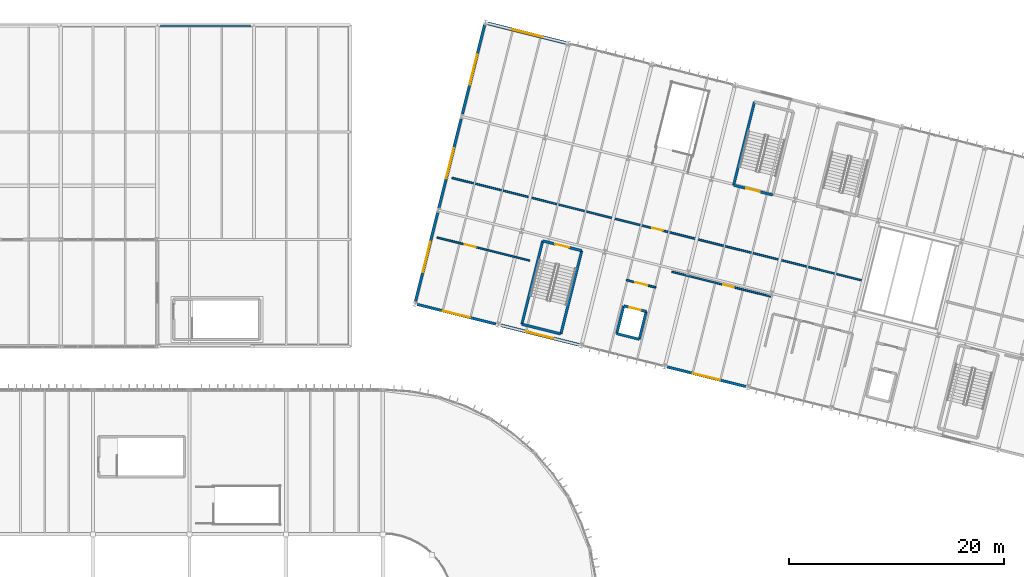
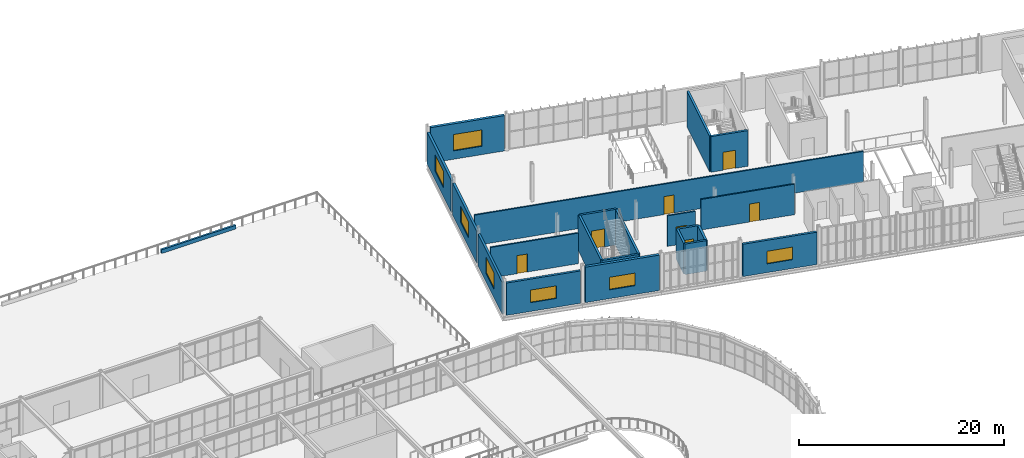
# One storey, part 123 of 152: 22 walls, 7 doors, 7 windows, 14 openings.
"""IFC4 building model written with IfcOpenShell, lengths in metres."""

from ifc_helpers import new_model, si_unit, derived_unit, direction, frame, frame_2d, origin, place, context, subcontext, project, spatial, rectangle, extrude, material, layer, layer_set, type_object, element, fill, save


model = new_model("IFC4")

# Units and contexts
model_context = context("Model", 3, precision=1e-05, world=origin(), true_north=direction((0.0, 1.0)))
body_context = subcontext(model_context, "Body", "Model", "MODEL_VIEW")
ifc_project = project(units=[si_unit("LENGTHUNIT", "METRE"), si_unit("AREAUNIT", "SQUARE_METRE"), si_unit("VOLUMEUNIT", "CUBIC_METRE"), si_unit("PLANEANGLEUNIT", "RADIAN"), si_unit("MASSUNIT", "GRAM", prefix="KILO"), si_unit("THERMODYNAMICTEMPERATUREUNIT", "KELVIN"), si_unit("TIMEUNIT", "SECOND"), derived_unit("THERMALTRANSMITTANCEUNIT", [(si_unit("MASSUNIT", "GRAM", prefix="KILO"), 1), (si_unit("THERMODYNAMICTEMPERATUREUNIT", "KELVIN"), -1), (si_unit("TIMEUNIT", "SECOND"), -3)])], contexts=[model_context])

# Site, building, storey
site_placement = place(None, origin())
site = spatial("IfcSite", under=ifc_project, at=site_placement, CompositionType="ELEMENT")
building_placement = place(site_placement, origin())
building = spatial("IfcBuilding", under=site, at=building_placement, Name="Cambertide Market Hall", CompositionType="ELEMENT")
storey_placement = place(building_placement, frame((0.0, 0.0, 5.39990234375)))
storey = spatial("IfcBuildingStorey", under=building, at=storey_placement, Name="L02", CompositionType="ELEMENT", Elevation=5.39990234375)

# Wall, opening, door
ifc_material_1 = material(Name="Autoclaved Aerated Concrete Blockwork M7.5", Category="masonry")
ifc_layer_1 = layer(ifc_material_1, 0.14990234375, Name="Culinary Classroom Acoustic Partition 150")
ifc_layer_set_1 = layer_set([ifc_layer_1], Name="Autoclaved Aerated Concrete Blockwork M7.5")
wall_type_1 = type_object("IfcWallType", Name="Culinary Classroom Acoustic Partition 150", PredefinedType="PARTITIONING", material=ifc_layer_set_1)
wall_1_placement = place(storey_placement, frame((131.938232421875, 102.983154296875, 0.0), z_axis=(0.0, 0.0, 1.0), x_axis=(0.970145523508, -0.242523531267, 0.0)))
wall_1 = element("IfcWall", 1, at=wall_1_placement, inside=storey, type_object=wall_type_1, Name="Level 2 Interior Wall IW-L02-V4S1", PredefinedType="PARTITIONING", context=body_context, shape_type="SweptSolid", body=[
    extrude(rectangle(XDim=9.5, YDim=0.14990234375, at=frame_2d((4.75, 0.0))), origin(), (0.0, 0.0, 1.0), 3.64013671875),
])
opening_1_placement = place(wall_1_placement, frame((4.929931640625, 0.0, 0.0)))
opening_1 = element("IfcOpeningElement", 2, at=opening_1_placement, cuts=wall_1, Name="Opening ID-03", PredefinedType="OPENING", context=body_context, shape_type="SweptSolid", body=[
    extrude(rectangle(XDim=1.0, YDim=2.14990234375, at=frame_2d((0.5, 1.074951171875))), frame((0.0, 0.0849609375, 0.0), z_axis=(0.0, -1.0, 0.0), x_axis=(1.0, 0.0, 0.0)), (0.0, 0.0, 1.0), 0.169921875),
])
ifc_material_2 = material(Name="Champagne Marine Anodized Aluminium 6063-T6 AA25", Category="aluminium")
door_type_1 = type_object("IfcDoorType", Name="Accessible Room Single Door 1000x2150", OperationType="NOTDEFINED", PredefinedType="DOOR", material=ifc_material_2)
door_1_placement = place(opening_1_placement, origin())
door_1 = element("IfcDoor", 3, at=door_1_placement, inside=storey, type_object=door_type_1, Name="Level 2 Door IW-L02-V4S1-DR1", OperationType="SINGLE_SWING_LEFT", OverallHeight=2.14990234375, OverallWidth=1.0, PredefinedType="DOOR", context=body_context, shape_type="SweptSolid", body=[
    extrude(rectangle(XDim=1.0, YDim=2.14990234375, at=frame_2d((0.5, 1.074951171875))), frame((0.0, 0.02490234375, 0.0), z_axis=(0.0, -1.0, 0.0), x_axis=(1.0, 0.0, 0.0)), (0.0, 0.0, 1.0), 0.050048828125),
])
fill(opening_1, door_1)

ifc_material_3 = material(Name="Autoclaved Aerated Concrete Blockwork M7.5", Category="masonry")
ifc_layer_2 = layer(ifc_material_3, 0.159912109375, Name="Fire-Rated Corridor & Kitchen Partition 160")
ifc_layer_set_2 = layer_set([ifc_layer_2], Name="Autoclaved Aerated Concrete Blockwork M7.5")
wall_type_2 = type_object("IfcWallType", Name="Fire-Rated Corridor & Kitchen Partition 160", PredefinedType="PARTITIONING", material=ifc_layer_set_2)
wall_2_placement = place(storey_placement, frame((111.448974609375, 111.73388671875, 0.0), z_axis=(0.0, 0.0, 1.0), x_axis=(0.97014286372, -0.242534170733, 0.0)))
wall_2 = element("IfcWall", 4, at=wall_2_placement, inside=storey, type_object=wall_type_2, Name="Level 2 Interior Wall IW-L02-V4C-0", PredefinedType="PARTITIONING", context=body_context, shape_type="SweptSolid", body=[
    extrude(rectangle(XDim=39.5, YDim=0.159912109375, at=frame_2d((19.75, 0.0))), origin(), (0.0, 0.0, 1.0), 3.64013671875),
])
opening_2_placement = place(wall_2_placement, frame((19.22509765625, 0.0, 0.0)))
opening_2 = element("IfcOpeningElement", 5, at=opening_2_placement, cuts=wall_2, Name="Opening KD-01", PredefinedType="OPENING", context=body_context, shape_type="SweptSolid", body=[
    extrude(rectangle(XDim=1.050048828125, YDim=2.14990234375, at=frame_2d((0.52490234375, 1.074951171875))), frame((0.0, 0.08984375, 0.0), z_axis=(0.0, -1.0, 0.0), x_axis=(1.0, 0.0, 0.0)), (0.0, 0.0, 1.0), 0.179931640625),
])
ifc_material_4 = material(Name="Stainless Steel Grade 316", Category="metal")
door_type_2 = type_object("IfcDoorType", Name="Kitchen & Lab Fire Door 1050x2150", OperationType="NOTDEFINED", PredefinedType="DOOR", material=ifc_material_4)
door_2_placement = place(opening_2_placement, origin())
door_2 = element("IfcDoor", 6, at=door_2_placement, inside=storey, type_object=door_type_2, Name="Level 2 Door IW-L02-V4C-0-DR1", OperationType="SINGLE_SWING_RIGHT", OverallHeight=2.14990234375, OverallWidth=1.050048828125, PredefinedType="DOOR", context=body_context, shape_type="SweptSolid", body=[
    extrude(rectangle(XDim=1.050048828125, YDim=2.14990234375, at=frame_2d((0.52490234375, 1.074951171875))), frame((0.0, 0.02490234375, 0.0), z_axis=(0.0, -1.0, 0.0), x_axis=(1.0, 0.0, 0.0)), (0.0, 0.0, 1.0), 0.050048828125),
])
fill(opening_2, door_2)

wall_3_placement = place(storey_placement, frame((110.0615234375, 106.1845703125, 0.0), z_axis=(0.0, 0.0, 1.0), x_axis=(0.970145727306, -0.24252271603, 0.0)))
wall_3 = element("IfcWall", 7, at=wall_3_placement, inside=storey, type_object=wall_type_2, Name="Level 2 Interior Wall IW-L02-V4LAB", PredefinedType="PARTITIONING", context=body_context, shape_type="SweptSolid", body=[
    extrude(rectangle(XDim=8.89990234375, YDim=0.159912109375, at=frame_2d((4.449951171875, 0.0))), origin(), (0.0, 0.0, 1.0), 3.64013671875),
])
opening_3_placement = place(wall_3_placement, frame((2.6689453125, 0.0, 0.0)))
opening_3 = element("IfcOpeningElement", 8, at=opening_3_placement, cuts=wall_3, Name="Opening KD-01", PredefinedType="OPENING", context=body_context, shape_type="SweptSolid", body=[
    extrude(rectangle(XDim=1.050048828125, YDim=2.14990234375, at=frame_2d((0.52490234375, 1.074951171875))), frame((0.0, 0.08984375, 0.0), z_axis=(0.0, -1.0, 0.0), x_axis=(1.0, 0.0, 0.0)), (0.0, 0.0, 1.0), 0.179931640625),
])
door_3_placement = place(opening_3_placement, origin())
door_3 = element("IfcDoor", 9, at=door_3_placement, inside=storey, type_object=door_type_2, Name="Level 2 Door IW-L02-V4LAB-DR1", OperationType="SINGLE_SWING_RIGHT", OverallHeight=2.14990234375, OverallWidth=1.050048828125, PredefinedType="DOOR", context=body_context, shape_type="SweptSolid", body=[
    extrude(rectangle(XDim=1.050048828125, YDim=2.14990234375, at=frame_2d((0.52490234375, 1.074951171875))), frame((0.0, 0.02490234375, 0.0), z_axis=(0.0, -1.0, 0.0), x_axis=(1.0, 0.0, 0.0)), (0.0, 0.0, 1.0), 0.050048828125),
])
fill(opening_3, door_3)

# Wall, opening, window
ifc_material_5 = material(Name="Autoclaved Aerated Concrete Blockwork M7.5", Category="masonry")
ifc_layer_3 = layer(ifc_material_5, 0.25, Name="Insulated AAC Exterior Infill Wall 250")
ifc_layer_set_3 = layer_set([ifc_layer_3], Name="Autoclaved Aerated Concrete Blockwork M7.5")
wall_type_3 = type_object("IfcWallType", Name="Insulated AAC Exterior Infill Wall 250", PredefinedType="SOLIDWALL", material=ifc_layer_set_3)
wall_4_placement = place(storey_placement, frame((115.5283203125, 98.117919921875, 0.0), z_axis=(0.0, 0.0, 1.0), x_axis=(-0.970138680536, 0.242550902961, 0.0)))
wall_4 = element("IfcWall", 10, at=wall_4_placement, inside=storey, type_object=wall_type_3, Name="Level 2 Exterior Wall EW-L02-V4S-1", PredefinedType="SOLIDWALL", context=body_context, shape_type="SweptSolid", body=[
    extrude(rectangle(XDim=7.52001953125, YDim=0.25, at=frame_2d((3.760009765625, 0.0))), origin(), (0.0, 0.0, 1.0), 3.85498046875),
])
opening_4_placement = place(wall_4_placement, frame((2.4599609375, 0.0, 1.050048828125)))
opening_4 = element("IfcOpeningElement", 11, at=opening_4_placement, cuts=wall_4, Name="Opening WN-06", PredefinedType="OPENING", context=body_context, shape_type="SweptSolid", body=[
    extrude(rectangle(XDim=2.60009765625, YDim=1.5, at=frame_2d((1.300048828125, 0.75))), frame((0.0, 0.135009765625, 0.0), z_axis=(0.0, -1.0, 0.0), x_axis=(1.0, 0.0, 0.0)), (0.0, 0.0, 1.0), 0.27001953125),
])
ifc_material_6 = material(Name="Low-E Laminated Insulated Glass", Category="glass")
window_type_1 = type_object("IfcWindowType", Name="Food Safety Lab Window 2600x1500", PartitioningType="SINGLE_PANEL", PredefinedType="WINDOW", material=ifc_material_6)
window_1_placement = place(opening_4_placement, origin())
window_1 = element("IfcWindow", 12, at=window_1_placement, inside=storey, type_object=window_type_1, Name="Level 2 Window EW-L02-V4S-1-WN", OverallHeight=1.5, OverallWidth=2.60009765625, PartitioningType="SINGLE_PANEL", PredefinedType="WINDOW", context=body_context, shape_type="SweptSolid", body=[
    extrude(rectangle(XDim=2.60009765625, YDim=1.5, at=frame_2d((1.300048828125, 0.75))), frame((0.0, 0.030029296875, 0.0), z_axis=(0.0, -1.0, 0.0), x_axis=(1.0, 0.0, 0.0)), (0.0, 0.0, 1.0), 0.06005859375),
])
fill(opening_4, window_1)

wall_5_placement = place(storey_placement, frame((138.811767578125, 92.297119140625, 0.0), z_axis=(0.0, 0.0, 1.0), x_axis=(-0.970146319544, 0.242520346931, 0.0)))
wall_5 = element("IfcWall", 13, at=wall_5_placement, inside=storey, type_object=wall_type_3, Name="Level 2 Exterior Wall EW-L02-V4S-4", PredefinedType="SOLIDWALL", context=body_context, shape_type="SweptSolid", body=[
    extrude(rectangle(XDim=7.52001953125, YDim=0.25, at=frame_2d((3.760009765625, 0.0))), origin(), (0.0, 0.0, 1.0), 3.85498046875),
])
opening_5_placement = place(wall_5_placement, frame((2.4599609375, 0.0, 1.050048828125)))
opening_5 = element("IfcOpeningElement", 14, at=opening_5_placement, cuts=wall_5, Name="Opening WN-06", PredefinedType="OPENING", context=body_context, shape_type="SweptSolid", body=[
    extrude(rectangle(XDim=2.60009765625, YDim=1.5, at=frame_2d((1.300048828125, 0.75))), frame((0.0, 0.135009765625, 0.0), z_axis=(0.0, -1.0, 0.0), x_axis=(1.0, 0.0, 0.0)), (0.0, 0.0, 1.0), 0.27001953125),
])
window_2_placement = place(opening_5_placement, origin())
window_2 = element("IfcWindow", 15, at=window_2_placement, inside=storey, type_object=window_type_1, Name="Level 2 Window EW-L02-V4S-4-WN", OverallHeight=1.5, OverallWidth=2.60009765625, PartitioningType="SINGLE_PANEL", PredefinedType="WINDOW", context=body_context, shape_type="SweptSolid", body=[
    extrude(rectangle(XDim=2.60009765625, YDim=1.5, at=frame_2d((1.300048828125, 0.75))), frame((0.0, 0.030029296875, 0.0), z_axis=(0.0, -1.0, 0.0), x_axis=(1.0, 0.0, 0.0)), (0.0, 0.0, 1.0), 0.06005859375),
])
fill(opening_5, window_2)

wall_6_placement = place(storey_placement, frame((108.05810546875, 100.23291015625, 0.0), z_axis=(0.0, 0.0, 1.0), x_axis=(0.242535625036, 0.970142500145, 0.0)))
wall_6 = element("IfcWall", 16, at=wall_6_placement, inside=storey, type_object=wall_type_3, Name="Level 2 Exterior Wall EW-L02-V4W-1", PredefinedType="SOLIDWALL", context=body_context, shape_type="SweptSolid", body=[
    extrude(rectangle(XDim=8.52001953125, YDim=0.25, at=frame_2d((4.260009765625, 0.0))), origin(), (0.0, 0.0, 1.0), 3.80517578125),
])
opening_6_placement = place(wall_6_placement, frame((2.81005859375, 0.0, 1.050048828125)))
opening_6 = element("IfcOpeningElement", 17, at=opening_6_placement, cuts=wall_6, Name="Opening WN-07", PredefinedType="OPENING", context=body_context, shape_type="SweptSolid", body=[
    extrude(rectangle(XDim=2.89990234375, YDim=1.949951171875, at=frame_2d((1.449951171875, 0.97509765625))), frame((0.0, 0.135009765625, 0.0), z_axis=(0.0, -1.0, 0.0), x_axis=(1.0, 0.0, 0.0)), (0.0, 0.0, 1.0), 0.27001953125),
])
ifc_material_7 = material(Name="Low-E Laminated Insulated Glass", Category="glass")
window_type_2 = type_object("IfcWindowType", Name="Spice Hall Punched Window 2900x1950", PartitioningType="SINGLE_PANEL", PredefinedType="WINDOW", material=ifc_material_7)
window_3_placement = place(opening_6_placement, origin())
window_3 = element("IfcWindow", 18, at=window_3_placement, inside=storey, type_object=window_type_2, Name="Level 2 Window EW-L02-V4W-1-WN", OverallHeight=1.949951171875, OverallWidth=2.89990234375, PartitioningType="SINGLE_PANEL", PredefinedType="WINDOW", context=body_context, shape_type="SweptSolid", body=[
    extrude(rectangle(XDim=2.89990234375, YDim=1.949951171875, at=frame_2d((1.449951171875, 0.97509765625))), frame((0.0, 0.030029296875, 0.0), z_axis=(0.0, -1.0, 0.0), x_axis=(1.0, 0.0, 0.0)), (0.0, 0.0, 1.0), 0.06005859375),
])
fill(opening_6, window_3)

wall_7_placement = place(storey_placement, frame((110.240966796875, 108.964111328125, 0.0), z_axis=(0.0, 0.0, 1.0), x_axis=(0.242535625036, 0.970142500145, 0.0)))
wall_7 = element("IfcWall", 19, at=wall_7_placement, inside=storey, type_object=wall_type_3, Name="Level 2 Exterior Wall EW-L02-V4W-2", PredefinedType="SOLIDWALL", context=body_context, shape_type="SweptSolid", body=[
    extrude(rectangle(XDim=8.52001953125, YDim=0.25, at=frame_2d((4.260009765625, 0.0))), origin(), (0.0, 0.0, 1.0), 3.80517578125),
])
opening_7_placement = place(wall_7_placement, frame((2.81005859375, 0.0, 1.050048828125)))
opening_7 = element("IfcOpeningElement", 20, at=opening_7_placement, cuts=wall_7, Name="Opening WN-07", PredefinedType="OPENING", context=body_context, shape_type="SweptSolid", body=[
    extrude(rectangle(XDim=2.89990234375, YDim=1.949951171875, at=frame_2d((1.449951171875, 0.97509765625))), frame((0.0, 0.135009765625, 0.0), z_axis=(0.0, -1.0, 0.0), x_axis=(1.0, 0.0, 0.0)), (0.0, 0.0, 1.0), 0.27001953125),
])
window_4_placement = place(opening_7_placement, origin())
window_4 = element("IfcWindow", 21, at=window_4_placement, inside=storey, type_object=window_type_2, Name="Level 2 Window EW-L02-V4W-2-WN", OverallHeight=1.949951171875, OverallWidth=2.89990234375, PartitioningType="SINGLE_PANEL", PredefinedType="WINDOW", context=body_context, shape_type="SweptSolid", body=[
    extrude(rectangle(XDim=2.89990234375, YDim=1.949951171875, at=frame_2d((1.449951171875, 0.97509765625))), frame((0.0, 0.030029296875, 0.0), z_axis=(0.0, -1.0, 0.0), x_axis=(1.0, 0.0, 0.0)), (0.0, 0.0, 1.0), 0.06005859375),
])
fill(opening_7, window_4)

wall_8_placement = place(storey_placement, frame((112.423828125, 117.6953125, 0.0), z_axis=(0.0, 0.0, 1.0), x_axis=(0.242535625036, 0.970142500145, 0.0)))
wall_8 = element("IfcWall", 22, at=wall_8_placement, inside=storey, type_object=wall_type_3, Name="Level 2 Exterior Wall EW-L02-V4W-3", PredefinedType="SOLIDWALL", context=body_context, shape_type="SweptSolid", body=[
    extrude(rectangle(XDim=8.52001953125, YDim=0.25, at=frame_2d((4.260009765625, 0.0))), origin(), (0.0, 0.0, 1.0), 3.80517578125),
])
opening_8_placement = place(wall_8_placement, frame((2.81005859375, 0.0, 1.050048828125)))
opening_8 = element("IfcOpeningElement", 23, at=opening_8_placement, cuts=wall_8, Name="Opening WN-07", PredefinedType="OPENING", context=body_context, shape_type="SweptSolid", body=[
    extrude(rectangle(XDim=2.89990234375, YDim=1.949951171875, at=frame_2d((1.449951171875, 0.97509765625))), frame((0.0, 0.135009765625, 0.0), z_axis=(0.0, -1.0, 0.0), x_axis=(1.0, 0.0, 0.0)), (0.0, 0.0, 1.0), 0.27001953125),
])
window_5_placement = place(opening_8_placement, origin())
window_5 = element("IfcWindow", 24, at=window_5_placement, inside=storey, type_object=window_type_2, Name="Level 2 Window EW-L02-V4W-3-WN", OverallHeight=1.949951171875, OverallWidth=2.89990234375, PartitioningType="SINGLE_PANEL", PredefinedType="WINDOW", context=body_context, shape_type="SweptSolid", body=[
    extrude(rectangle(XDim=2.89990234375, YDim=1.949951171875, at=frame_2d((1.449951171875, 0.97509765625))), frame((0.0, 0.030029296875, 0.0), z_axis=(0.0, -1.0, 0.0), x_axis=(1.0, 0.0, 0.0)), (0.0, 0.0, 1.0), 0.06005859375),
])
fill(opening_8, window_5)

# Wall, opening, door
ifc_material_8 = material(Name="Autoclaved Aerated Concrete Blockwork M7.5", Category="masonry")
ifc_layer_4 = layer(ifc_material_8, 0.169921875, Name="Lift Lobby Fire Partition 170")
ifc_layer_set_4 = layer_set([ifc_layer_4], Name="Autoclaved Aerated Concrete Blockwork M7.5")
wall_type_4 = type_object("IfcWallType", Name="Lift Lobby Fire Partition 170", PredefinedType="PARTITIONING", material=ifc_layer_set_4)
wall_9_placement = place(storey_placement, frame((127.6962890625, 102.21923828125, 0.0), z_axis=(0.0, 0.0, 1.0), x_axis=(0.970127434573, -0.242595879372, 0.0)))
wall_9 = element("IfcWall", 25, at=wall_9_placement, inside=storey, type_object=wall_type_4, Name="Level 2 Interior Wall LLW-LP-03-L02", PredefinedType="PARTITIONING", context=body_context, shape_type="SweptSolid", body=[
    extrude(rectangle(XDim=2.860107421875, YDim=0.169921875, at=frame_2d((1.43017578125, 0.0))), origin(), (0.0, 0.0, 1.0), 3.64013671875),
])
opening_9_placement = place(wall_9_placement, frame((0.85498046875, 0.0, 0.0)))
opening_9 = element("IfcOpeningElement", 26, at=opening_9_placement, cuts=wall_9, Name="Opening KD-02", PredefinedType="OPENING", context=body_context, shape_type="SweptSolid", body=[
    extrude(rectangle(XDim=1.14990234375, YDim=2.14990234375, at=frame_2d((0.574951171875, 1.074951171875))), frame((0.0, 0.094970703125, 0.0), z_axis=(0.0, -1.0, 0.0), x_axis=(1.0, 0.0, 0.0)), (0.0, 0.0, 1.0), 0.18994140625),
])
ifc_material_9 = material(Name="Stainless Steel Grade 316", Category="metal")
door_type_3 = type_object("IfcDoorType", Name="Lift Lobby Smoke-Stop Door 1150x2150", OperationType="NOTDEFINED", PredefinedType="DOOR", material=ifc_material_9)
door_4_placement = place(opening_9_placement, origin())
door_4 = element("IfcDoor", 27, at=door_4_placement, inside=storey, type_object=door_type_3, Name="Level 2 Door LLW-LP-03-L02-DR1", OperationType="SINGLE_SWING_LEFT", OverallHeight=2.14990234375, OverallWidth=1.14990234375, PredefinedType="DOOR", context=body_context, shape_type="SweptSolid", body=[
    extrude(rectangle(XDim=1.14990234375, YDim=2.14990234375, at=frame_2d((0.574951171875, 1.074951171875))), frame((0.0, 0.02490234375, 0.0), z_axis=(0.0, -1.0, 0.0), x_axis=(1.0, 0.0, 0.0)), (0.0, 0.0, 1.0), 0.050048828125),
])
fill(opening_9, door_4)

ifc_material_10 = material(Name="Concrete B35", Category="concrete")
ifc_layer_5 = layer(ifc_material_10, 0.239990234375, Name="Stair & Lift Core Shaft Wall 240")
ifc_layer_set_5 = layer_set([ifc_layer_5], Name="Concrete B35")
wall_type_5 = type_object("IfcWallType", Name="Stair & Lift Core Shaft Wall 240", PredefinedType="SOLIDWALL", material=ifc_layer_set_5)
wall_10_placement = place(storey_placement, frame((119.90234375, 105.86328125, 0.0), z_axis=(0.0, 0.0, 1.0), x_axis=(0.970150158722, -0.242504988675, 0.0)))
wall_10 = element("IfcWall", 28, at=wall_10_placement, inside=storey, type_object=wall_type_5, Name="Level 2 Interior Wall SHW-ST-07A-L02-NEAR", PredefinedType="SOLIDWALL", context=body_context, shape_type="SweptSolid", body=[
    extrude(rectangle(XDim=3.750244140625, YDim=0.239990234375, at=frame_2d((1.875, 0.0))), origin(), (0.0, 0.0, 1.0), 4.255126953125),
])
opening_10_placement = place(wall_10_placement, frame((1.22509765625, 0.0, 0.0)))
opening_10 = element("IfcOpeningElement", 29, at=opening_10_placement, cuts=wall_10, Name="Opening FD-01", PredefinedType="OPENING", context=body_context, shape_type="SweptSolid", body=[
    extrude(rectangle(XDim=1.300048828125, YDim=2.14990234375, at=frame_2d((0.64990234375, 1.074951171875))), frame((0.0, 0.1298828125, 0.0), z_axis=(0.0, -1.0, 0.0), x_axis=(1.0, 0.0, 0.0)), (0.0, 0.0, 1.0), 0.260009765625),
])
ifc_material_11 = material(Name="Powder-Coated Galvanized Sheet Metal", Category="metal")
door_type_4 = type_object("IfcDoorType", Name="Stair Core Fire Door 1300x2150", OperationType="NOTDEFINED", PredefinedType="DOOR", material=ifc_material_11)
door_5_placement = place(opening_10_placement, origin())
door_5 = element("IfcDoor", 30, at=door_5_placement, inside=storey, type_object=door_type_4, Name="Level 2 Door SHW-ST-07A-L02-NEAR-DR1", OperationType="SINGLE_SWING_LEFT", OverallHeight=2.14990234375, OverallWidth=1.300048828125, PredefinedType="DOOR", context=body_context, shape_type="SweptSolid", body=[
    extrude(rectangle(XDim=1.300048828125, YDim=2.14990234375, at=frame_2d((0.64990234375, 1.074951171875))), frame((0.0, 0.02490234375, 0.0), z_axis=(0.0, -1.0, 0.0), x_axis=(1.0, 0.0, 0.0)), (0.0, 0.0, 1.0), 0.050048828125),
])
fill(opening_10, door_5)

# Walls
wall_11_placement = place(storey_placement, frame((117.962158203125, 98.102294921875, 0.0), z_axis=(0.0, 0.0, 1.0), x_axis=(0.242528444268, 0.970144295309, 0.0)))
element("IfcWall", 31, at=wall_11_placement, inside=storey, type_object=wall_type_5, Name="Level 2 Interior Wall SHW-ST-07A-L02-L", PredefinedType="SOLIDWALL", context=body_context, shape_type="SweptSolid", body=[
    extrude(rectangle(XDim=7.999755859375, YDim=0.239990234375, at=frame_2d((4.0, 0.0))), origin(), (0.0, 0.0, 1.0), 4.255126953125),
])
wall_12_placement = place(storey_placement, frame((121.60009765625, 97.192626953125, 0.0), z_axis=(0.0, 0.0, 1.0), x_axis=(-0.970131009923, 0.242581581301, 0.0)))
element("IfcWall", 32, at=wall_12_placement, inside=storey, type_object=wall_type_5, Name="Level 2 Interior Wall SHW-ST-07A-L02-FAR", PredefinedType="SOLIDWALL", context=body_context, shape_type="SweptSolid", body=[
    extrude(rectangle(XDim=3.75, YDim=0.239990234375, at=frame_2d((1.875, 0.0))), origin(), (0.0, 0.0, 1.0), 4.255126953125),
])
wall_13_placement = place(storey_placement, frame((123.54052734375, 104.953857421875, 0.0), z_axis=(0.0, 0.0, 1.0), x_axis=(-0.242549986002, -0.970138909791, 0.0)))
element("IfcWall", 33, at=wall_13_placement, inside=storey, type_object=wall_type_5, Name="Level 2 Interior Wall SHW-ST-07A-L02-R", PredefinedType="SOLIDWALL", context=body_context, shape_type="SweptSolid", body=[
    extrude(rectangle(XDim=8.000244140625, YDim=0.239990234375, at=frame_2d((4.0, 0.0))), origin(), (0.0, 0.0, 1.0), 4.255126953125),
])

# Wall, opening, door
wall_14_placement = place(storey_placement, frame((141.33056640625, 110.14404296875, 0.0), z_axis=(0.0, 0.0, 1.0), x_axis=(-0.970134840723, 0.242566260672, 0.0)))
wall_14 = element("IfcWall", 34, at=wall_14_placement, inside=storey, type_object=wall_type_5, Name="Level 2 Interior Wall SHW-ST-07B-L02-NEAR", PredefinedType="SOLIDWALL", context=body_context, shape_type="SweptSolid", body=[
    extrude(rectangle(XDim=3.750244140625, YDim=0.239990234375, at=frame_2d((1.875, 0.0))), origin(), (0.0, 0.0, 1.0), 4.255126953125),
])
opening_11_placement = place(wall_14_placement, frame((1.22509765625, 0.0, 0.0)))
opening_11 = element("IfcOpeningElement", 35, at=opening_11_placement, cuts=wall_14, Name="Opening FD-01", PredefinedType="OPENING", context=body_context, shape_type="SweptSolid", body=[
    extrude(rectangle(XDim=1.300048828125, YDim=2.14990234375, at=frame_2d((0.64990234375, 1.074951171875))), frame((0.0, 0.1298828125, 0.0), z_axis=(0.0, -1.0, 0.0), x_axis=(1.0, 0.0, 0.0)), (0.0, 0.0, 1.0), 0.260009765625),
])
door_6_placement = place(opening_11_placement, origin())
door_6 = element("IfcDoor", 36, at=door_6_placement, inside=storey, type_object=door_type_4, Name="Level 2 Door SHW-ST-07B-L02-NEAR-DR1", OperationType="SINGLE_SWING_RIGHT", OverallHeight=2.14990234375, OverallWidth=1.300048828125, PredefinedType="DOOR", context=body_context, shape_type="SweptSolid", body=[
    extrude(rectangle(XDim=1.300048828125, YDim=2.14990234375, at=frame_2d((0.64990234375, 1.074951171875))), frame((0.0, 0.02490234375, 0.0), z_axis=(0.0, -1.0, 0.0), x_axis=(1.0, 0.0, 0.0)), (0.0, 0.0, 1.0), 0.050048828125),
])
fill(opening_11, door_6)

# Walls
wall_15_placement = place(storey_placement, frame((137.6923828125, 111.0537109375, 0.0), z_axis=(0.0, 0.0, 1.0), x_axis=(0.242557167103, 0.970137114374, 0.0)))
element("IfcWall", 37, at=wall_15_placement, inside=storey, type_object=wall_type_5, Name="Level 2 Interior Wall SHW-ST-07B-L02-R", PredefinedType="SOLIDWALL", context=body_context, shape_type="SweptSolid", body=[
    extrude(rectangle(XDim=8.0, YDim=0.239990234375, at=frame_2d((4.0, 0.0))), origin(), (0.0, 0.0, 1.0), 4.255126953125),
])
wall_16_placement = place(storey_placement, frame((128.904052734375, 96.701416015625, 0.0), z_axis=(0.0, 0.0, 1.0), x_axis=(-0.970135850962, 0.242562220222, 0.0)))
element("IfcWall", 38, at=wall_16_placement, inside=storey, type_object=wall_type_5, Name="Level 2 Interior Wall LSH-LP-03-L02-S", PredefinedType="SOLIDWALL", context=body_context, shape_type="SweptSolid", body=[
    extrude(rectangle(XDim=2.159912109375, YDim=0.239990234375, at=frame_2d((1.080078125, 0.0))), origin(), (0.0, 0.0, 1.0), 3.64013671875),
])

# Wall, opening, door
wall_17_placement = place(storey_placement, frame((127.453857421875, 99.805908203125, 0.0), z_axis=(0.0, 0.0, 1.0), x_axis=(0.970135850962, -0.242562220222, 0.0)))
wall_17 = element("IfcWall", 39, at=wall_17_placement, inside=storey, type_object=wall_type_5, Name="Level 2 Interior Wall LSH-LP-03-L02-N", PredefinedType="SOLIDWALL", context=body_context, shape_type="SweptSolid", body=[
    extrude(rectangle(XDim=2.159912109375, YDim=0.239990234375, at=frame_2d((1.080078125, 0.0))), origin(), (0.0, 0.0, 1.0), 3.64013671875),
])
opening_12_placement = place(wall_17_placement, frame((0.530029296875, 0.0, 0.0)))
opening_12 = element("IfcOpeningElement", 40, at=opening_12_placement, cuts=wall_17, Name="Opening LD-01", PredefinedType="OPENING", context=body_context, shape_type="SweptSolid", body=[
    extrude(rectangle(XDim=1.10009765625, YDim=2.14990234375, at=frame_2d((0.550048828125, 1.074951171875))), frame((0.0, 0.1298828125, 0.0), z_axis=(0.0, -1.0, 0.0), x_axis=(1.0, 0.0, 0.0)), (0.0, 0.0, 1.0), 0.260009765625),
])
ifc_material_12 = material(Name="Stainless Steel Grade 316", Category="metal")
door_type_5 = type_object("IfcDoorType", Name="Passenger Lift Sliding Landing Door 1100x2150", OperationType="DOUBLE_DOOR_SLIDING", PredefinedType="DOOR", material=ifc_material_12)
door_7_placement = place(opening_12_placement, origin())
door_7 = element("IfcDoor", 41, at=door_7_placement, inside=storey, type_object=door_type_5, Name="Level 2 Door LSH-LP-03-L02-N-DR1", OperationType="DOUBLE_DOOR_SLIDING", OverallHeight=2.14990234375, OverallWidth=1.10009765625, PredefinedType="DOOR", context=body_context, shape_type="SweptSolid", body=[
    extrude(rectangle(XDim=1.10009765625, YDim=2.14990234375, at=frame_2d((0.550048828125, 1.074951171875))), frame((0.0, 0.02490234375, 0.0), z_axis=(0.0, -1.0, 0.0), x_axis=(1.0, 0.0, 0.0)), (0.0, 0.0, 1.0), 0.050048828125),
])
fill(opening_12, door_7)

# Walls
for number, where, z_axis, x_axis, name in (
    (42, (126.80859375, 97.225341796875, 0.0), (0.0, 0.0, 1.0), (0.242578816146, 0.970131701346, 0.0), "Level 2 Interior Wall LSH-LP-03-L02-W"),
    (43, (129.54931640625, 99.281982421875, 0.0), (0.0, 0.0, 1.0), (-0.242578816146, -0.970131701346, 0.0), "Level 2 Interior Wall LSH-LP-03-L02-E"),
):
    element("IfcWall", number, at=place(storey_placement, frame(where, z_axis=z_axis, x_axis=x_axis)), inside=storey, type_object=wall_type_5, Name=name, PredefinedType="SOLIDWALL", context=body_context, shape_type="SweptSolid", body=[
        extrude(rectangle(XDim=2.659912109375, YDim=0.239990234375, at=frame_2d((1.330078125, 0.0))), origin(), (0.0, 0.0, 1.0), 3.64013671875),
    ])

# Wall, opening, window
ifc_material_13 = material(Name="Concrete B35", Category="concrete")
ifc_layer_6 = layer(ifc_material_13, 0.300048828125, Name="Structural Facade Shear Wall 300")
ifc_layer_set_6 = layer_set([ifc_layer_6], Name="Concrete B35")
wall_type_6 = type_object("IfcWallType", Name="Structural Facade Shear Wall 300", PredefinedType="SHEAR", material=ifc_layer_set_6)
wall_18_placement = place(storey_placement, frame((114.78125, 126.1357421875, 0.0), z_axis=(0.0, 0.0, 1.0), x_axis=(0.970138680536, -0.242550902961, 0.0)))
wall_18 = element("IfcWall", 44, at=wall_18_placement, inside=storey, type_object=wall_type_6, Name="Level 2 Exterior Wall EW-L02-V4N-1", PredefinedType="SHEAR", context=body_context, shape_type="SweptSolid", body=[
    extrude(rectangle(XDim=7.52001953125, YDim=0.300048828125, at=frame_2d((3.760009765625, 0.0))), origin(), (0.0, 0.0, 1.0), 4.22021484375),
])
opening_13_placement = place(wall_18_placement, frame((2.31005859375, 0.0, 1.0)))
opening_13 = element("IfcOpeningElement", 45, at=opening_13_placement, cuts=wall_18, Name="Opening WN-07", PredefinedType="OPENING", context=body_context, shape_type="SweptSolid", body=[
    extrude(rectangle(XDim=2.89990234375, YDim=1.949951171875, at=frame_2d((1.449951171875, 0.97509765625))), frame((0.0, 0.159912109375, 0.0), z_axis=(0.0, -1.0, 0.0), x_axis=(1.0, 0.0, 0.0)), (0.0, 0.0, 1.0), 0.320068359375),
])
window_6_placement = place(opening_13_placement, origin())
window_6 = element("IfcWindow", 46, at=window_6_placement, inside=storey, type_object=window_type_2, Name="Level 2 Window EW-L02-V4N-1-WN", OverallHeight=1.949951171875, OverallWidth=2.89990234375, PartitioningType="SINGLE_PANEL", PredefinedType="WINDOW", context=body_context, shape_type="SweptSolid", body=[
    extrude(rectangle(XDim=2.89990234375, YDim=1.949951171875, at=frame_2d((1.449951171875, 0.97509765625))), frame((0.0, 0.030029296875, 0.0), z_axis=(0.0, -1.0, 0.0), x_axis=(1.0, 0.0, 0.0)), (0.0, 0.0, 1.0), 0.06005859375),
])
fill(opening_13, window_6)

wall_19_placement = place(storey_placement, frame((123.28955078125, 96.177734375, 0.0), z_axis=(0.0, 0.0, 1.0), x_axis=(-0.970148228972, 0.242512708578, 0.0)))
wall_19 = element("IfcWall", 47, at=wall_19_placement, inside=storey, type_object=wall_type_6, Name="Level 2 Exterior Wall EW-L02-V4S-2", PredefinedType="SHEAR", context=body_context, shape_type="SweptSolid", body=[
    extrude(rectangle(XDim=7.520263671875, YDim=0.300048828125, at=frame_2d((3.76025390625, 0.0))), origin(), (0.0, 0.0, 1.0), 4.22021484375),
])
opening_14_placement = place(wall_19_placement, frame((2.4599609375, 0.0, 1.050048828125)))
opening_14 = element("IfcOpeningElement", 48, at=opening_14_placement, cuts=wall_19, Name="Opening WN-06", PredefinedType="OPENING", context=body_context, shape_type="SweptSolid", body=[
    extrude(rectangle(XDim=2.60009765625, YDim=1.5, at=frame_2d((1.300048828125, 0.75))), frame((0.0, 0.159912109375, 0.0), z_axis=(0.0, -1.0, 0.0), x_axis=(1.0, 0.0, 0.0)), (0.0, 0.0, 1.0), 0.320068359375),
])
window_7_placement = place(opening_14_placement, origin())
window_7 = element("IfcWindow", 49, at=window_7_placement, inside=storey, type_object=window_type_1, Name="Level 2 Window EW-L02-V4S-2-WN", OverallHeight=1.5, OverallWidth=2.60009765625, PartitioningType="SINGLE_PANEL", PredefinedType="WINDOW", context=body_context, shape_type="SweptSolid", body=[
    extrude(rectangle(XDim=2.60009765625, YDim=1.5, at=frame_2d((1.300048828125, 0.75))), frame((0.0, 0.030029296875, 0.0), z_axis=(0.0, -1.0, 0.0), x_axis=(1.0, 0.0, 0.0)), (0.0, 0.0, 1.0), 0.06005859375),
])
fill(opening_14, window_7)

# Wall
ifc_material_14 = material(Name="Precast concrete B35", Category="concrete")
ifc_layer_7 = layer(ifc_material_14, 0.2099609375, Name="Terrace & Roof Parapet Upstand 210")
ifc_layer_set_7 = layer_set([ifc_layer_7], Name="Precast concrete B35")
wall_type_7 = type_object("IfcWallType", Name="Terrace & Roof Parapet Upstand 210", PredefinedType="PARAPET", material=ifc_layer_set_7)
wall_20_placement = place(storey_placement, frame((84.300048828125, 125.8798828125, 0.0), z_axis=(0.0, 0.0, 1.0), x_axis=(1.0, 0.0, 0.0)))
element("IfcWall", 50, at=wall_20_placement, inside=storey, type_object=wall_type_7, Name="PAR-V2N-5", PredefinedType="PARAPET", context=body_context, shape_type="SweptSolid", body=[
    extrude(rectangle(XDim=8.39990234375, YDim=0.2099609375, at=frame_2d((4.199951171875, 0.0))), origin(), (0.0, 0.0, 1.0), 0.4501953125),
])

save(model, "model.ifc")
